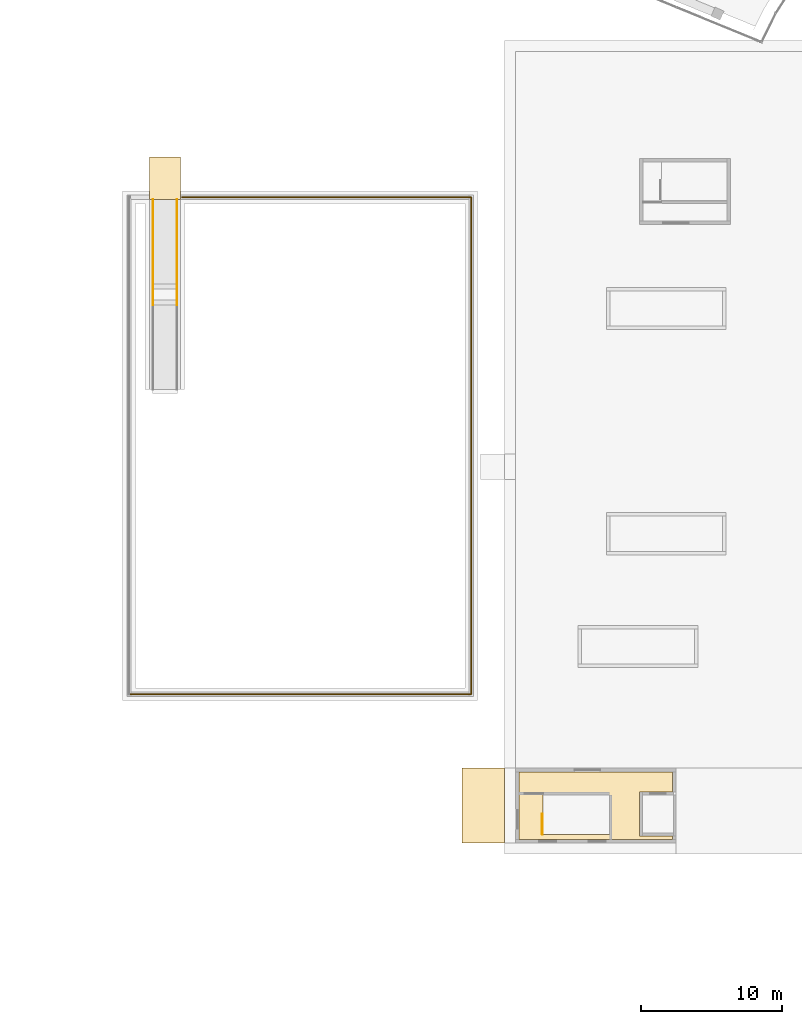
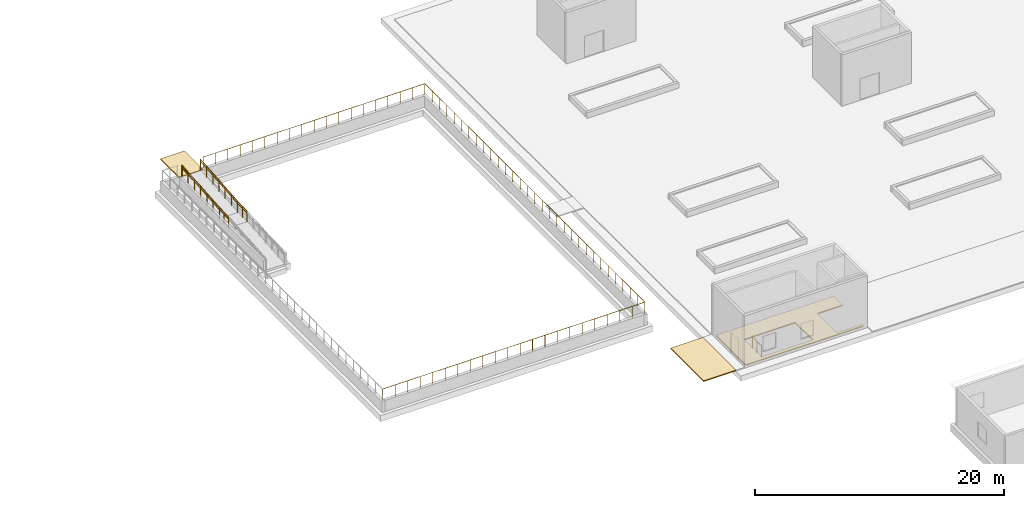
# One storey, part 43 of 60: 10 railings, 3 coverings.
"""IFC4 building model written with IfcOpenShell, lengths in metres."""

from ifc_helpers import new_model, si_unit, direction, frame, origin, origin_2d, place, context, subcontext, project, spatial, polyline, circle, outline, extrude, material, layer, layer_set, type_object, element, save


model = new_model("IFC4")

# Units and contexts
model_context = context("Model", 3, precision=1e-05, world=origin(), true_north=direction((0.0, 1.0)))
body_context = subcontext(model_context, "Body", "Model", "MODEL_VIEW")
ifc_project = project(units=[si_unit("LENGTHUNIT", "METRE"), si_unit("AREAUNIT", "SQUARE_METRE"), si_unit("VOLUMEUNIT", "CUBIC_METRE"), si_unit("PLANEANGLEUNIT", "RADIAN"), si_unit("MASSUNIT", "GRAM", prefix="KILO")], contexts=[model_context])

# Site, building, storey
site_placement = place(None, origin())
site = spatial("IfcSite", under=ifc_project, at=site_placement, CompositionType="ELEMENT")
building_placement = place(site_placement, origin())
building = spatial("IfcBuilding", under=site, at=building_placement, Name="Stone Belt Terrace Tower", CompositionType="ELEMENT")
storey_placement = place(building_placement, origin())
storey = spatial("IfcBuildingStorey", under=building, at=storey_placement, Name="L00", CompositionType="ELEMENT", Elevation=0.0)

# Railings
ifc_material_1 = material(Name="Structural steel C345", Category="steel")
railing_type_1 = type_object("IfcRailingType", Name="Car park guard 1100", PredefinedType="GUARDRAIL", material=ifc_material_1)
railing_1_placement = place(storey_placement, frame((-30.800048828125, -50.10009765625, 0.0)))
element("IfcRailing", 1, at=railing_1_placement, inside=storey, type_object=railing_type_1, Name="L00 CS1 top well guard 1", PredefinedType="GUARDRAIL", context=body_context, shape_type="SweptSolid", body=[
    extrude(circle(Radius=0.02392578125, at=origin_2d()), frame((0.0, 0.0, 1.076171875), z_axis=(0.0, 1.0, 0.0), x_axis=(-1.0, 0.0, 0.0)), (0.0, 0.0, 1.0), 1.4501953125),
    extrude(circle(Radius=0.02099609375, at=origin_2d()), origin(), (0.0, 0.0, 1.0), 1.052001953125),
    extrude(circle(Radius=0.02099609375, at=origin_2d()), frame((0.0, 0.72509765625, 0.0)), (0.0, 0.0, 1.0), 1.052001953125),
    extrude(circle(Radius=0.02099609375, at=origin_2d()), frame((0.0, 1.4501953125, 0.0)), (0.0, 0.0, 1.0), 1.052001953125),
])
railing_type_2 = type_object("IfcRailingType", Name="Garden guard 1100", PredefinedType="GUARDRAIL", material=ifc_material_1)
railing_2_placement = place(storey_placement, frame((-58.449951171875, -5.0, 0.0)))
element("IfcRailing", 2, at=railing_2_placement, inside=storey, type_object=railing_type_2, Name="Rain garden court ramp guard", PredefinedType="GUARDRAIL", context=body_context, shape_type="SweptSolid", body=[
    extrude(circle(Radius=0.02392578125, at=origin_2d()), frame((0.0, 0.0, 1.076171875), z_axis=(0.0, -0.996545758245, -0.083045479854), x_axis=(1.0, 0.0, 0.0)), (0.0, 0.0, 1.0), 6.020751953125),
    extrude(circle(Radius=0.02099609375, at=origin_2d()), origin(), (0.0, 0.0, 1.0), 1.052001953125),
    extrude(circle(Radius=0.02099609375, at=origin_2d()), frame((0.0, -1.0, -0.083251953125)), (0.0, 0.0, 1.0), 1.052001953125),
    extrude(circle(Radius=0.02099609375, at=origin_2d()), frame((0.0, -2.0, -0.166748046875)), (0.0, 0.0, 1.0), 1.052001953125),
    extrude(circle(Radius=0.02099609375, at=origin_2d()), frame((0.0, -3.0, -0.25)), (0.0, 0.0, 1.0), 1.052001953125),
    extrude(circle(Radius=0.02099609375, at=origin_2d()), frame((0.0, -4.0, -0.333251953125)), (0.0, 0.0, 1.0), 1.052001953125),
    extrude(circle(Radius=0.02099609375, at=origin_2d()), frame((0.0, -5.0, -0.416748046875)), (0.0, 0.0, 1.0), 1.052001953125),
    extrude(circle(Radius=0.02099609375, at=origin_2d()), frame((0.0, -6.0, -0.5)), (0.0, 0.0, 1.0), 1.052001953125),
])
railing_3_placement = place(storey_placement, frame((-58.449951171875, -11.0, -0.5)))
element("IfcRailing", 3, at=railing_3_placement, inside=storey, type_object=railing_type_2, Name="Rain garden court ramp guard", PredefinedType="GUARDRAIL", context=body_context, shape_type="SweptSolid", body=[
    extrude(circle(Radius=0.02392578125, at=origin_2d()), frame((0.0, 0.0, 1.076171875), z_axis=(0.0, -1.0, 0.0), x_axis=(1.0, 0.0, 0.0)), (0.0, 0.0, 1.0), 1.5),
    extrude(circle(Radius=0.02099609375, at=origin_2d()), origin(), (0.0, 0.0, 1.0), 1.052001953125),
    extrude(circle(Radius=0.02099609375, at=origin_2d()), frame((0.0, -0.75, 0.0)), (0.0, 0.0, 1.0), 1.052001953125),
    extrude(circle(Radius=0.02099609375, at=origin_2d()), frame((0.0, -1.5, 0.0)), (0.0, 0.0, 1.0), 1.052001953125),
])
railing_4_placement = place(storey_placement, frame((-56.75, -5.0, 0.0)))
element("IfcRailing", 4, at=railing_4_placement, inside=storey, type_object=railing_type_2, Name="Rain garden court ramp guard", PredefinedType="GUARDRAIL", context=body_context, shape_type="SweptSolid", body=[
    extrude(circle(Radius=0.02392578125, at=origin_2d()), frame((0.0, 0.0, 1.076171875), z_axis=(0.0, -0.996545758245, -0.083045479854), x_axis=(1.0, 0.0, 0.0)), (0.0, 0.0, 1.0), 6.020751953125),
    extrude(circle(Radius=0.02099609375, at=origin_2d()), origin(), (0.0, 0.0, 1.0), 1.052001953125),
    extrude(circle(Radius=0.02099609375, at=origin_2d()), frame((0.0, -1.0, -0.083251953125)), (0.0, 0.0, 1.0), 1.052001953125),
    extrude(circle(Radius=0.02099609375, at=origin_2d()), frame((0.0, -2.0, -0.166748046875)), (0.0, 0.0, 1.0), 1.052001953125),
    extrude(circle(Radius=0.02099609375, at=origin_2d()), frame((0.0, -3.0, -0.25)), (0.0, 0.0, 1.0), 1.052001953125),
    extrude(circle(Radius=0.02099609375, at=origin_2d()), frame((0.0, -4.0, -0.333251953125)), (0.0, 0.0, 1.0), 1.052001953125),
    extrude(circle(Radius=0.02099609375, at=origin_2d()), frame((0.0, -5.0, -0.416748046875)), (0.0, 0.0, 1.0), 1.052001953125),
    extrude(circle(Radius=0.02099609375, at=origin_2d()), frame((0.0, -6.0, -0.5)), (0.0, 0.0, 1.0), 1.052001953125),
])
railing_5_placement = place(storey_placement, frame((-56.75, -11.0, -0.5)))
element("IfcRailing", 5, at=railing_5_placement, inside=storey, type_object=railing_type_2, Name="Rain garden court ramp guard", PredefinedType="GUARDRAIL", context=body_context, shape_type="SweptSolid", body=[
    extrude(circle(Radius=0.02392578125, at=origin_2d()), frame((0.0, 0.0, 1.076171875), z_axis=(0.0, -1.0, 0.0), x_axis=(1.0, 0.0, 0.0)), (0.0, 0.0, 1.0), 1.5),
    extrude(circle(Radius=0.02099609375, at=origin_2d()), origin(), (0.0, 0.0, 1.0), 1.052001953125),
    extrude(circle(Radius=0.02099609375, at=origin_2d()), frame((0.0, -0.75, 0.0)), (0.0, 0.0, 1.0), 1.052001953125),
    extrude(circle(Radius=0.02099609375, at=origin_2d()), frame((0.0, -1.5, 0.0)), (0.0, 0.0, 1.0), 1.052001953125),
])
railing_6_placement = place(storey_placement, frame((-60.14990234375, -40.14990234375, 0.0)))
element("IfcRailing", 6, at=railing_6_placement, inside=storey, type_object=railing_type_2, Name="Rain garden court guard", PredefinedType="GUARDRAIL", context=body_context, shape_type="SweptSolid", body=[
    extrude(circle(Radius=0.02392578125, at=origin_2d()), frame((0.0, 0.0, 1.076171875), z_axis=(1.0, 0.0, 0.0), x_axis=(0.0, 1.0, 0.0)), (0.0, 0.0, 1.0), 24.2998046875),
    extrude(circle(Radius=0.02392578125, at=origin_2d()), frame((24.2998046875, 0.0, 1.076171875), z_axis=(0.0, 1.0, 0.0), x_axis=(-1.0, 0.0, 0.0)), (0.0, 0.0, 1.0), 35.2998046875),
    extrude(circle(Radius=0.02392578125, at=origin_2d()), frame((24.2998046875, 35.2998046875, 1.076171875), z_axis=(-1.0, 0.0, 0.0), x_axis=(0.0, -1.0, 0.0)), (0.0, 0.0, 1.0), 20.5498046875),
    extrude(circle(Radius=0.02099609375, at=origin_2d()), origin(), (0.0, 0.0, 1.0), 1.052001953125),
    extrude(circle(Radius=0.02099609375, at=origin_2d()), frame((1.1572265625, 0.0, 0.0)), (0.0, 0.0, 1.0), 1.052001953125),
    extrude(circle(Radius=0.02099609375, at=origin_2d()), frame((2.314208984375, 0.0, 0.0)), (0.0, 0.0, 1.0), 1.052001953125),
    extrude(circle(Radius=0.02099609375, at=origin_2d()), frame((3.471435546875, 0.0, 0.0)), (0.0, 0.0, 1.0), 1.052001953125),
    extrude(circle(Radius=0.02099609375, at=origin_2d()), frame((4.62841796875, 0.0, 0.0)), (0.0, 0.0, 1.0), 1.052001953125),
    extrude(circle(Radius=0.02099609375, at=origin_2d()), frame((5.78564453125, 0.0, 0.0)), (0.0, 0.0, 1.0), 1.052001953125),
    extrude(circle(Radius=0.02099609375, at=origin_2d()), frame((6.94287109375, 0.0, 0.0)), (0.0, 0.0, 1.0), 1.052001953125),
    extrude(circle(Radius=0.02099609375, at=origin_2d()), frame((8.099853515625, 0.0, 0.0)), (0.0, 0.0, 1.0), 1.052001953125),
    extrude(circle(Radius=0.02099609375, at=origin_2d()), frame((9.257080078125, 0.0, 0.0)), (0.0, 0.0, 1.0), 1.052001953125),
    extrude(circle(Radius=0.02099609375, at=origin_2d()), frame((10.414306640625, 0.0, 0.0)), (0.0, 0.0, 1.0), 1.052001953125),
    extrude(circle(Radius=0.02099609375, at=origin_2d()), frame((11.5712890625, 0.0, 0.0)), (0.0, 0.0, 1.0), 1.052001953125),
    extrude(circle(Radius=0.02099609375, at=origin_2d()), frame((12.728515625, 0.0, 0.0)), (0.0, 0.0, 1.0), 1.052001953125),
    extrude(circle(Radius=0.02099609375, at=origin_2d()), frame((13.885498046875, 0.0, 0.0)), (0.0, 0.0, 1.0), 1.052001953125),
    extrude(circle(Radius=0.02099609375, at=origin_2d()), frame((15.042724609375, 0.0, 0.0)), (0.0, 0.0, 1.0), 1.052001953125),
    extrude(circle(Radius=0.02099609375, at=origin_2d()), frame((16.199951171875, 0.0, 0.0)), (0.0, 0.0, 1.0), 1.052001953125),
    extrude(circle(Radius=0.02099609375, at=origin_2d()), frame((17.35693359375, 0.0, 0.0)), (0.0, 0.0, 1.0), 1.052001953125),
    extrude(circle(Radius=0.02099609375, at=origin_2d()), frame((18.51416015625, 0.0, 0.0)), (0.0, 0.0, 1.0), 1.052001953125),
    extrude(circle(Radius=0.02099609375, at=origin_2d()), frame((19.67138671875, 0.0, 0.0)), (0.0, 0.0, 1.0), 1.052001953125),
    extrude(circle(Radius=0.02099609375, at=origin_2d()), frame((20.828369140625, 0.0, 0.0)), (0.0, 0.0, 1.0), 1.052001953125),
    extrude(circle(Radius=0.02099609375, at=origin_2d()), frame((21.985595703125, 0.0, 0.0)), (0.0, 0.0, 1.0), 1.052001953125),
    extrude(circle(Radius=0.02099609375, at=origin_2d()), frame((23.142578125, 0.0, 0.0)), (0.0, 0.0, 1.0), 1.052001953125),
    extrude(circle(Radius=0.02099609375, at=origin_2d()), frame((24.2998046875, 0.0, 0.0)), (0.0, 0.0, 1.0), 1.052001953125),
    extrude(circle(Radius=0.02099609375, at=origin_2d()), frame((24.2998046875, 1.1767578125, 0.0)), (0.0, 0.0, 1.0), 1.052001953125),
    extrude(circle(Radius=0.02099609375, at=origin_2d()), frame((24.2998046875, 2.353271484375, 0.0)), (0.0, 0.0, 1.0), 1.052001953125),
    extrude(circle(Radius=0.02099609375, at=origin_2d()), frame((24.2998046875, 3.530029296875, 0.0)), (0.0, 0.0, 1.0), 1.052001953125),
    extrude(circle(Radius=0.02099609375, at=origin_2d()), frame((24.2998046875, 4.70654296875, 0.0)), (0.0, 0.0, 1.0), 1.052001953125),
    extrude(circle(Radius=0.02099609375, at=origin_2d()), frame((24.2998046875, 5.88330078125, 0.0)), (0.0, 0.0, 1.0), 1.052001953125),
    extrude(circle(Radius=0.02099609375, at=origin_2d()), frame((24.2998046875, 7.06005859375, 0.0)), (0.0, 0.0, 1.0), 1.052001953125),
    extrude(circle(Radius=0.02099609375, at=origin_2d()), frame((24.2998046875, 8.236572265625, 0.0)), (0.0, 0.0, 1.0), 1.052001953125),
    extrude(circle(Radius=0.02099609375, at=origin_2d()), frame((24.2998046875, 9.413330078125, 0.0)), (0.0, 0.0, 1.0), 1.052001953125),
    extrude(circle(Radius=0.02099609375, at=origin_2d()), frame((24.2998046875, 10.58984375, 0.0)), (0.0, 0.0, 1.0), 1.052001953125),
    extrude(circle(Radius=0.02099609375, at=origin_2d()), frame((24.2998046875, 11.7666015625, 0.0)), (0.0, 0.0, 1.0), 1.052001953125),
    extrude(circle(Radius=0.02099609375, at=origin_2d()), frame((24.2998046875, 12.943359375, 0.0)), (0.0, 0.0, 1.0), 1.052001953125),
    extrude(circle(Radius=0.02099609375, at=origin_2d()), frame((24.2998046875, 14.119873046875, 0.0)), (0.0, 0.0, 1.0), 1.052001953125),
    extrude(circle(Radius=0.02099609375, at=origin_2d()), frame((24.2998046875, 15.296630859375, 0.0)), (0.0, 0.0, 1.0), 1.052001953125),
    extrude(circle(Radius=0.02099609375, at=origin_2d()), frame((24.2998046875, 16.47314453125, 0.0)), (0.0, 0.0, 1.0), 1.052001953125),
    extrude(circle(Radius=0.02099609375, at=origin_2d()), frame((24.2998046875, 17.64990234375, 0.0)), (0.0, 0.0, 1.0), 1.052001953125),
    extrude(circle(Radius=0.02099609375, at=origin_2d()), frame((24.2998046875, 18.82666015625, 0.0)), (0.0, 0.0, 1.0), 1.052001953125),
    extrude(circle(Radius=0.02099609375, at=origin_2d()), frame((24.2998046875, 20.003173828125, 0.0)), (0.0, 0.0, 1.0), 1.052001953125),
    extrude(circle(Radius=0.02099609375, at=origin_2d()), frame((24.2998046875, 21.179931640625, 0.0)), (0.0, 0.0, 1.0), 1.052001953125),
    extrude(circle(Radius=0.02099609375, at=origin_2d()), frame((24.2998046875, 22.3564453125, 0.0)), (0.0, 0.0, 1.0), 1.052001953125),
    extrude(circle(Radius=0.02099609375, at=origin_2d()), frame((24.2998046875, 23.533203125, 0.0)), (0.0, 0.0, 1.0), 1.052001953125),
    extrude(circle(Radius=0.02099609375, at=origin_2d()), frame((24.2998046875, 24.7099609375, 0.0)), (0.0, 0.0, 1.0), 1.052001953125),
    extrude(circle(Radius=0.02099609375, at=origin_2d()), frame((24.2998046875, 25.886474609375, 0.0)), (0.0, 0.0, 1.0), 1.052001953125),
    extrude(circle(Radius=0.02099609375, at=origin_2d()), frame((24.2998046875, 27.063232421875, 0.0)), (0.0, 0.0, 1.0), 1.052001953125),
    extrude(circle(Radius=0.02099609375, at=origin_2d()), frame((24.2998046875, 28.23974609375, 0.0)), (0.0, 0.0, 1.0), 1.052001953125),
    extrude(circle(Radius=0.02099609375, at=origin_2d()), frame((24.2998046875, 29.41650390625, 0.0)), (0.0, 0.0, 1.0), 1.052001953125),
    extrude(circle(Radius=0.02099609375, at=origin_2d()), frame((24.2998046875, 30.59326171875, 0.0)), (0.0, 0.0, 1.0), 1.052001953125),
    extrude(circle(Radius=0.02099609375, at=origin_2d()), frame((24.2998046875, 31.769775390625, 0.0)), (0.0, 0.0, 1.0), 1.052001953125),
    extrude(circle(Radius=0.02099609375, at=origin_2d()), frame((24.2998046875, 32.946533203125, 0.0)), (0.0, 0.0, 1.0), 1.052001953125),
    extrude(circle(Radius=0.02099609375, at=origin_2d()), frame((24.2998046875, 34.123046875, 0.0)), (0.0, 0.0, 1.0), 1.052001953125),
    extrude(circle(Radius=0.02099609375, at=origin_2d()), frame((24.2998046875, 35.2998046875, 0.0)), (0.0, 0.0, 1.0), 1.052001953125),
    extrude(circle(Radius=0.02099609375, at=origin_2d()), frame((23.158203125, 35.2998046875, 0.0)), (0.0, 0.0, 1.0), 1.052001953125),
    extrude(circle(Radius=0.02099609375, at=origin_2d()), frame((22.0166015625, 35.2998046875, 0.0)), (0.0, 0.0, 1.0), 1.052001953125),
    extrude(circle(Radius=0.02099609375, at=origin_2d()), frame((20.874755859375, 35.2998046875, 0.0)), (0.0, 0.0, 1.0), 1.052001953125),
    extrude(circle(Radius=0.02099609375, at=origin_2d()), frame((19.733154296875, 35.2998046875, 0.0)), (0.0, 0.0, 1.0), 1.052001953125),
    extrude(circle(Radius=0.02099609375, at=origin_2d()), frame((18.591552734375, 35.2998046875, 0.0)), (0.0, 0.0, 1.0), 1.052001953125),
    extrude(circle(Radius=0.02099609375, at=origin_2d()), frame((17.449951171875, 35.2998046875, 0.0)), (0.0, 0.0, 1.0), 1.052001953125),
    extrude(circle(Radius=0.02099609375, at=origin_2d()), frame((16.30810546875, 35.2998046875, 0.0)), (0.0, 0.0, 1.0), 1.052001953125),
    extrude(circle(Radius=0.02099609375, at=origin_2d()), frame((15.16650390625, 35.2998046875, 0.0)), (0.0, 0.0, 1.0), 1.052001953125),
    extrude(circle(Radius=0.02099609375, at=origin_2d()), frame((14.02490234375, 35.2998046875, 0.0)), (0.0, 0.0, 1.0), 1.052001953125),
    extrude(circle(Radius=0.02099609375, at=origin_2d()), frame((12.88330078125, 35.2998046875, 0.0)), (0.0, 0.0, 1.0), 1.052001953125),
    extrude(circle(Radius=0.02099609375, at=origin_2d()), frame((11.74169921875, 35.2998046875, 0.0)), (0.0, 0.0, 1.0), 1.052001953125),
    extrude(circle(Radius=0.02099609375, at=origin_2d()), frame((10.599853515625, 35.2998046875, 0.0)), (0.0, 0.0, 1.0), 1.052001953125),
    extrude(circle(Radius=0.02099609375, at=origin_2d()), frame((9.458251953125, 35.2998046875, 0.0)), (0.0, 0.0, 1.0), 1.052001953125),
    extrude(circle(Radius=0.02099609375, at=origin_2d()), frame((8.316650390625, 35.2998046875, 0.0)), (0.0, 0.0, 1.0), 1.052001953125),
    extrude(circle(Radius=0.02099609375, at=origin_2d()), frame((7.175048828125, 35.2998046875, 0.0)), (0.0, 0.0, 1.0), 1.052001953125),
    extrude(circle(Radius=0.02099609375, at=origin_2d()), frame((6.033203125, 35.2998046875, 0.0)), (0.0, 0.0, 1.0), 1.052001953125),
    extrude(circle(Radius=0.02099609375, at=origin_2d()), frame((4.8916015625, 35.2998046875, 0.0)), (0.0, 0.0, 1.0), 1.052001953125),
    extrude(circle(Radius=0.02099609375, at=origin_2d()), frame((3.75, 35.2998046875, 0.0)), (0.0, 0.0, 1.0), 1.052001953125),
])
ifc_material_2 = material(Name="Stainless steel", Category="steel")
railing_type_3 = type_object("IfcRailingType", Name="Garden handrail 900", PredefinedType="HANDRAIL", material=ifc_material_2)
railing_7_placement = place(storey_placement, frame((-58.449951171875, -5.0, 0.0)))
element("IfcRailing", 7, at=railing_7_placement, inside=storey, type_object=railing_type_3, Name="Rain garden court ramp handrail", PredefinedType="HANDRAIL", context=body_context, shape_type="SweptSolid", body=[
    extrude(circle(Radius=0.02392578125, at=origin_2d()), frame((0.0, 0.0, 0.8759765625), z_axis=(0.0, -0.996545758245, -0.083045479854), x_axis=(1.0, 0.0, 0.0)), (0.0, 0.0, 1.0), 6.020751953125),
    extrude(circle(Radius=0.02099609375, at=origin_2d()), origin(), (0.0, 0.0, 1.0), 0.851806640625),
    extrude(circle(Radius=0.02099609375, at=origin_2d()), frame((0.0, -1.0, -0.083251953125)), (0.0, 0.0, 1.0), 0.851806640625),
    extrude(circle(Radius=0.02099609375, at=origin_2d()), frame((0.0, -2.0, -0.166748046875)), (0.0, 0.0, 1.0), 0.851806640625),
    extrude(circle(Radius=0.02099609375, at=origin_2d()), frame((0.0, -3.0, -0.25)), (0.0, 0.0, 1.0), 0.851806640625),
    extrude(circle(Radius=0.02099609375, at=origin_2d()), frame((0.0, -4.0, -0.333251953125)), (0.0, 0.0, 1.0), 0.851806640625),
    extrude(circle(Radius=0.02099609375, at=origin_2d()), frame((0.0, -5.0, -0.416748046875)), (0.0, 0.0, 1.0), 0.851806640625),
    extrude(circle(Radius=0.02099609375, at=origin_2d()), frame((0.0, -6.0, -0.5)), (0.0, 0.0, 1.0), 0.851806640625),
])
railing_8_placement = place(storey_placement, frame((-58.449951171875, -11.0, -0.5)))
element("IfcRailing", 8, at=railing_8_placement, inside=storey, type_object=railing_type_3, Name="Rain garden court ramp handrail", PredefinedType="HANDRAIL", context=body_context, shape_type="SweptSolid", body=[
    extrude(circle(Radius=0.02392578125, at=origin_2d()), frame((0.0, 0.0, 0.8759765625), z_axis=(0.0, -1.0, 0.0), x_axis=(1.0, 0.0, 0.0)), (0.0, 0.0, 1.0), 1.5),
    extrude(circle(Radius=0.02099609375, at=origin_2d()), origin(), (0.0, 0.0, 1.0), 0.851806640625),
    extrude(circle(Radius=0.02099609375, at=origin_2d()), frame((0.0, -0.75, 0.0)), (0.0, 0.0, 1.0), 0.851806640625),
    extrude(circle(Radius=0.02099609375, at=origin_2d()), frame((0.0, -1.5, 0.0)), (0.0, 0.0, 1.0), 0.851806640625),
])
railing_9_placement = place(storey_placement, frame((-56.75, -5.0, 0.0)))
element("IfcRailing", 9, at=railing_9_placement, inside=storey, type_object=railing_type_3, Name="Rain garden court ramp handrail", PredefinedType="HANDRAIL", context=body_context, shape_type="SweptSolid", body=[
    extrude(circle(Radius=0.02392578125, at=origin_2d()), frame((0.0, 0.0, 0.8759765625), z_axis=(0.0, -0.996545758245, -0.083045479854), x_axis=(1.0, 0.0, 0.0)), (0.0, 0.0, 1.0), 6.020751953125),
    extrude(circle(Radius=0.02099609375, at=origin_2d()), origin(), (0.0, 0.0, 1.0), 0.851806640625),
    extrude(circle(Radius=0.02099609375, at=origin_2d()), frame((0.0, -1.0, -0.083251953125)), (0.0, 0.0, 1.0), 0.851806640625),
    extrude(circle(Radius=0.02099609375, at=origin_2d()), frame((0.0, -2.0, -0.166748046875)), (0.0, 0.0, 1.0), 0.851806640625),
    extrude(circle(Radius=0.02099609375, at=origin_2d()), frame((0.0, -3.0, -0.25)), (0.0, 0.0, 1.0), 0.851806640625),
    extrude(circle(Radius=0.02099609375, at=origin_2d()), frame((0.0, -4.0, -0.333251953125)), (0.0, 0.0, 1.0), 0.851806640625),
    extrude(circle(Radius=0.02099609375, at=origin_2d()), frame((0.0, -5.0, -0.416748046875)), (0.0, 0.0, 1.0), 0.851806640625),
    extrude(circle(Radius=0.02099609375, at=origin_2d()), frame((0.0, -6.0, -0.5)), (0.0, 0.0, 1.0), 0.851806640625),
])
railing_10_placement = place(storey_placement, frame((-56.75, -11.0, -0.5)))
element("IfcRailing", 10, at=railing_10_placement, inside=storey, type_object=railing_type_3, Name="Rain garden court ramp handrail", PredefinedType="HANDRAIL", context=body_context, shape_type="SweptSolid", body=[
    extrude(circle(Radius=0.02392578125, at=origin_2d()), frame((0.0, 0.0, 0.8759765625), z_axis=(0.0, -1.0, 0.0), x_axis=(1.0, 0.0, 0.0)), (0.0, 0.0, 1.0), 1.5),
    extrude(circle(Radius=0.02099609375, at=origin_2d()), origin(), (0.0, 0.0, 1.0), 0.851806640625),
    extrude(circle(Radius=0.02099609375, at=origin_2d()), frame((0.0, -0.75, 0.0)), (0.0, 0.0, 1.0), 0.851806640625),
    extrude(circle(Radius=0.02099609375, at=origin_2d()), frame((0.0, -1.5, 0.0)), (0.0, 0.0, 1.0), 0.851806640625),
])

# Coverings
ifc_material_3 = material(Name="Cement screed")
ifc_layer_1 = layer(ifc_material_3, 0.10009765625)
ifc_layer_set_1 = layer_set([ifc_layer_1], Name="House floor finish 100")
covering_type_1 = type_object("IfcCoveringType", Name="House floor finish 100", PredefinedType="FLOORING", material=ifc_layer_set_1)
covering_1_placement = place(storey_placement, frame((0.0, 0.0, -0.10009765625)))
element("IfcCovering", 11, at=covering_1_placement, inside=storey, type_object=covering_type_1, Name="Car park stair and lift house 1 floor", PredefinedType="FLOORING", context=body_context, shape_type="SweptSolid", body=[
    extrude(outline(polyline([(-32.449951171875, -50.449951171875), (-21.550048828125, -50.449951171875), (-21.550048828125, -50.199951171875), (-23.89990234375, -50.199951171875), (-23.89990234375, -47.10009765625), (-21.550048828125, -47.10009765625), (-21.550048828125, -45.64990234375), (-32.449951171875, -45.64990234375), (-32.449951171875, -50.449951171875)]), holes=[polyline([(-26.04296875, -47.302978515625), (-30.7470703125, -47.302978515625), (-30.7470703125, -50.096923828125), (-26.04296875, -50.096923828125), (-26.04296875, -47.302978515625)])]), origin(), (0.0, 0.0, 1.0), 0.10009765625),
])
ifc_material_4 = material(Name="Granite paving", Category="masonry")
ifc_layer_2 = layer(ifc_material_4, 0.10009765625)
ifc_layer_set_2 = layer_set([ifc_layer_2], Name="Paving covering 100")
covering_type_2 = type_object("IfcCoveringType", Name="Paving covering 100", PredefinedType="FLOORING", material=ifc_layer_set_2)
covering_2_placement = place(storey_placement, frame((0.0, 0.0, -0.10009765625)))
element("IfcCovering", 12, at=covering_2_placement, inside=storey, type_object=covering_type_2, Name="Rain garden court ramp head paving", PredefinedType="FLOORING", context=body_context, shape_type="SweptSolid", body=[
    extrude(outline(polyline([(-58.699951171875, -5.0), (-56.5, -5.0), (-56.5, -2.0), (-58.699951171875, -2.0), (-58.699951171875, -5.0)])), origin(), (0.0, 0.0, 1.0), 0.10009765625),
])
covering_3_placement = place(storey_placement, frame((0.0, 0.0, -0.10009765625)))
element("IfcCovering", 13, at=covering_3_placement, inside=storey, type_object=covering_type_2, Name="Garden path paving", PredefinedType="FLOORING", context=body_context, shape_type="SweptSolid", body=[
    extrude(outline(polyline([(-36.5, -50.699951171875), (-33.5, -50.699951171875), (-33.5, -45.39990234375), (-36.5, -45.39990234375), (-36.5, -50.699951171875)])), origin(), (0.0, 0.0, 1.0), 0.10009765625),
])

save(model, "model.ifc")
